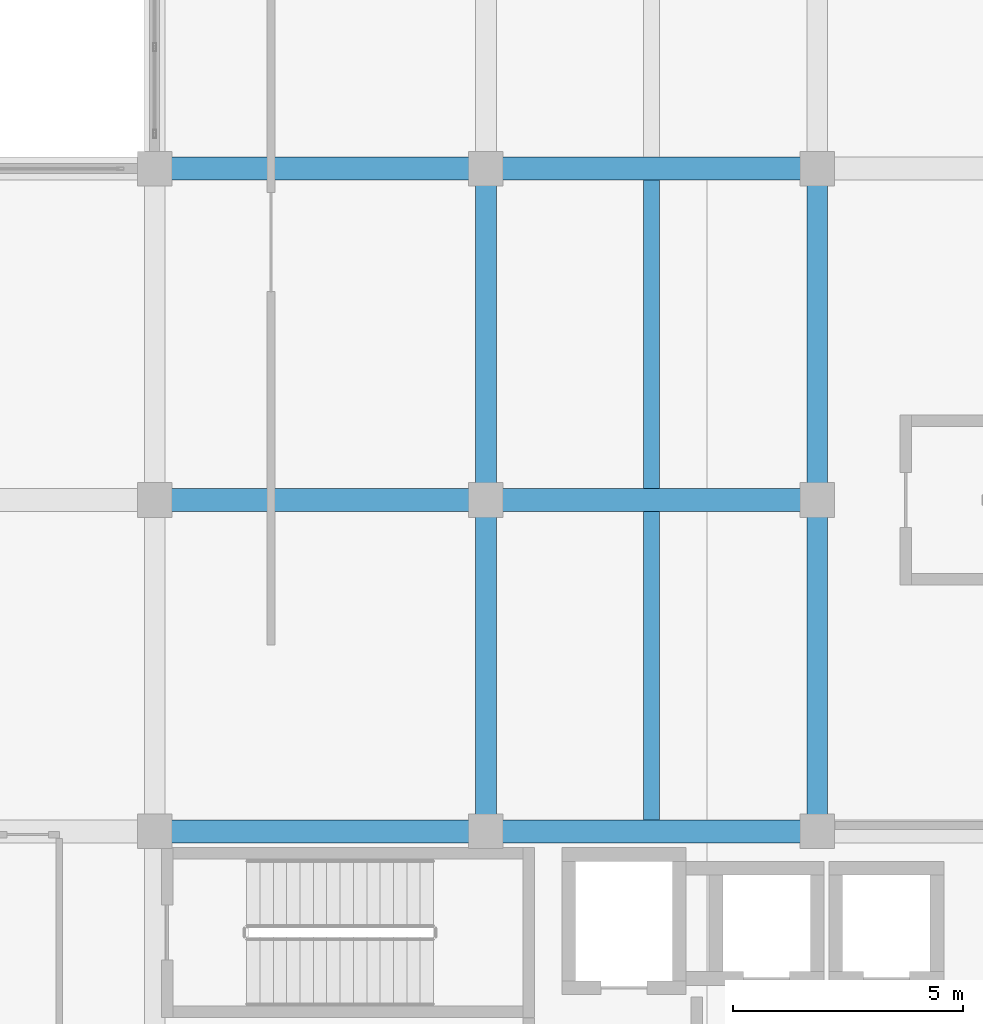
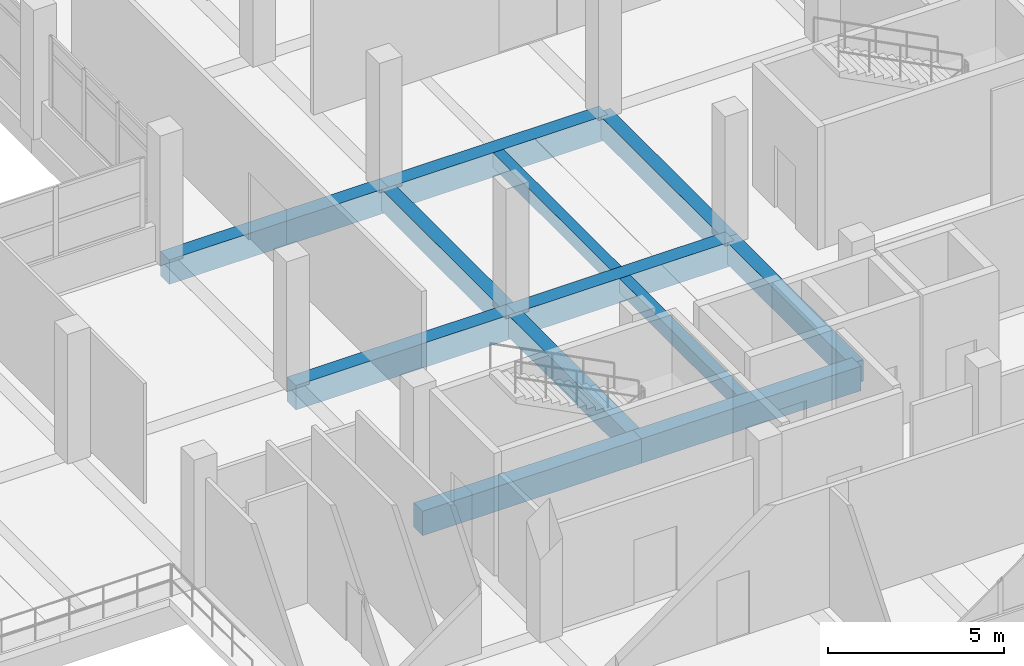
# One storey, part 33 of 141: 12 beams.
"""IFC4 building model written with IfcOpenShell, lengths in metres."""

from ifc_helpers import new_model, si_unit, direction, frame, origin, origin_2d, place, context, subcontext, project, spatial, rectangle, extrude, material, material_profile, profile_set, type_object, element, save


model = new_model("IFC4")

# Units and contexts
model_context = context("Model", 3, precision=1e-05, world=origin(), true_north=direction((0.0, 1.0)))
body_context = subcontext(model_context, "Body", "Model", "MODEL_VIEW")
ifc_project = project(units=[si_unit("LENGTHUNIT", "METRE"), si_unit("AREAUNIT", "SQUARE_METRE"), si_unit("VOLUMEUNIT", "CUBIC_METRE"), si_unit("PLANEANGLEUNIT", "RADIAN"), si_unit("MASSUNIT", "GRAM", prefix="KILO")], contexts=[model_context])

# Site, building, storey
site_placement = place(None, origin())
site = spatial("IfcSite", under=ifc_project, at=site_placement, CompositionType="ELEMENT")
building_placement = place(site_placement, origin())
building = spatial("IfcBuilding", under=site, at=building_placement, Name="Seraya Terrace Polytechnic", CompositionType="ELEMENT")
storey_placement = place(building_placement, frame((0.0, 0.0, 14.39990234375)))
storey = spatial("IfcBuildingStorey", under=building, at=storey_placement, Name="L03", CompositionType="ELEMENT", Elevation=14.39990234375)

# Beams
ifc_material = material(Name="Concrete C40/50", Category="concrete")
ifc_material_profile_1 = material_profile(ifc_material, rectangle(XDim=0.5, YDim=0.85009765625, at=origin_2d()), Name="RC 500x850")
ifc_profile_set_1 = profile_set([ifc_material_profile_1], Name="Concrete C40/50")
beam_type_1 = type_object("IfcBeamType", Name="BM-05", PredefinedType="BEAM", material=ifc_profile_set_1)
beam_1_placement = place(storey_placement, frame((79.199951171875, 14.39990234375, -0.4248046875), z_axis=(1.0, 0.0, 0.0), x_axis=(0.0, 1.0, 0.0)))
element("IfcBeam", 1, at=beam_1_placement, inside=storey, type_object=beam_type_1, Name="Beam BM-05 L03 X (79.2..86.4, 14.4)", PredefinedType="BEAM", context=body_context, shape_type="SweptSolid", body=[
    extrude(rectangle(XDim=0.5, YDim=0.85009765625, at=origin_2d()), origin(), (0.0, 0.0, 1.0), 7.199951171875),
])
beam_2_placement = place(storey_placement, frame((86.39990234375, 14.39990234375, -0.4248046875), z_axis=(1.0, 0.0, 0.0), x_axis=(0.0, 1.0, 0.0)))
element("IfcBeam", 2, at=beam_2_placement, inside=storey, type_object=beam_type_1, Name="Beam BM-05 L03 X (86.4..93.6, 14.4)", PredefinedType="BEAM", context=body_context, shape_type="SweptSolid", body=[
    extrude(rectangle(XDim=0.5, YDim=0.85009765625, at=origin_2d()), origin(), (0.0, 0.0, 1.0), 7.2001953125),
])
beam_3_placement = place(storey_placement, frame((79.199951171875, 21.60009765625, -0.4248046875), z_axis=(1.0, 0.0, 0.0), x_axis=(0.0, 1.0, 0.0)))
element("IfcBeam", 3, at=beam_3_placement, inside=storey, type_object=beam_type_1, Name="Beam BM-05 L03 X (79.2..86.4, 21.6)", PredefinedType="BEAM", context=body_context, shape_type="SweptSolid", body=[
    extrude(rectangle(XDim=0.5, YDim=0.85009765625, at=origin_2d()), origin(), (0.0, 0.0, 1.0), 7.199951171875),
])
beam_4_placement = place(storey_placement, frame((86.39990234375, 21.60009765625, -0.4248046875), z_axis=(1.0, 0.0, 0.0), x_axis=(0.0, 1.0, 0.0)))
element("IfcBeam", 4, at=beam_4_placement, inside=storey, type_object=beam_type_1, Name="Beam BM-05 L03 X (86.4..93.6, 21.6)", PredefinedType="BEAM", context=body_context, shape_type="SweptSolid", body=[
    extrude(rectangle(XDim=0.5, YDim=0.85009765625, at=origin_2d()), origin(), (0.0, 0.0, 1.0), 7.2001953125),
])
beam_5_placement = place(storey_placement, frame((79.199951171875, 28.800048828125, -0.4248046875), z_axis=(1.0, 0.0, 0.0), x_axis=(0.0, 1.0, 0.0)))
element("IfcBeam", 5, at=beam_5_placement, inside=storey, type_object=beam_type_1, Name="Beam BM-05 L03 X (79.2..86.4, 28.8)", PredefinedType="BEAM", context=body_context, shape_type="SweptSolid", body=[
    extrude(rectangle(XDim=0.5, YDim=0.85009765625, at=origin_2d()), origin(), (0.0, 0.0, 1.0), 7.199951171875),
])
beam_6_placement = place(storey_placement, frame((86.39990234375, 28.800048828125, -0.4248046875), z_axis=(1.0, 0.0, 0.0), x_axis=(0.0, 1.0, 0.0)))
element("IfcBeam", 6, at=beam_6_placement, inside=storey, type_object=beam_type_1, Name="Beam BM-05 L03 X (86.4..93.6, 28.8)", PredefinedType="BEAM", context=body_context, shape_type="SweptSolid", body=[
    extrude(rectangle(XDim=0.5, YDim=0.85009765625, at=origin_2d()), origin(), (0.0, 0.0, 1.0), 7.2001953125),
])
ifc_material_profile_2 = material_profile(ifc_material, rectangle(XDim=0.449951171875, YDim=0.75, at=origin_2d()), Name="RC 450x750")
ifc_profile_set_2 = profile_set([ifc_material_profile_2], Name="Concrete C40/50")
beam_type_2 = type_object("IfcBeamType", Name="BM-08", PredefinedType="BEAM", material=ifc_profile_set_2)
beam_7_placement = place(storey_placement, frame((86.39990234375, 14.39990234375, -0.375), z_axis=(0.0, 1.0, 0.0), x_axis=(-1.0, 0.0, 0.0)))
element("IfcBeam", 7, at=beam_7_placement, inside=storey, type_object=beam_type_2, Name="Beam BM-08 L03 Y (86.4, 14.4..21.6)", PredefinedType="BEAM", context=body_context, shape_type="SweptSolid", body=[
    extrude(rectangle(XDim=0.449951171875, YDim=0.75, at=origin_2d()), origin(), (0.0, 0.0, 1.0), 7.2001953125),
])
beam_8_placement = place(storey_placement, frame((86.39990234375, 21.60009765625, -0.375), z_axis=(0.0, 1.0, 0.0), x_axis=(-1.0, 0.0, 0.0)))
element("IfcBeam", 8, at=beam_8_placement, inside=storey, type_object=beam_type_2, Name="Beam BM-08 L03 Y (86.4, 21.6..28.8)", PredefinedType="BEAM", context=body_context, shape_type="SweptSolid", body=[
    extrude(rectangle(XDim=0.449951171875, YDim=0.75, at=origin_2d()), origin(), (0.0, 0.0, 1.0), 7.199951171875),
])
beam_9_placement = place(storey_placement, frame((93.60009765625, 14.39990234375, -0.375), z_axis=(0.0, 1.0, 0.0), x_axis=(-1.0, 0.0, 0.0)))
element("IfcBeam", 9, at=beam_9_placement, inside=storey, type_object=beam_type_2, Name="Beam BM-08 L03 Y (93.6, 14.4..21.6)", PredefinedType="BEAM", context=body_context, shape_type="SweptSolid", body=[
    extrude(rectangle(XDim=0.449951171875, YDim=0.75, at=origin_2d()), origin(), (0.0, 0.0, 1.0), 7.2001953125),
])
beam_10_placement = place(storey_placement, frame((93.60009765625, 21.60009765625, -0.375), z_axis=(0.0, 1.0, 0.0), x_axis=(-1.0, 0.0, 0.0)))
element("IfcBeam", 10, at=beam_10_placement, inside=storey, type_object=beam_type_2, Name="Beam BM-08 L03 Y (93.6, 21.6..28.8)", PredefinedType="BEAM", context=body_context, shape_type="SweptSolid", body=[
    extrude(rectangle(XDim=0.449951171875, YDim=0.75, at=origin_2d()), origin(), (0.0, 0.0, 1.0), 7.199951171875),
])
ifc_material_profile_3 = material_profile(ifc_material, rectangle(XDim=0.35009765625, YDim=0.5, at=origin_2d()), Name="RC 350x500")
ifc_profile_set_3 = profile_set([ifc_material_profile_3], Name="Concrete C40/50")
beam_type_3 = type_object("IfcBeamType", Name="JS-03", PredefinedType="JOIST", material=ifc_profile_set_3)
beam_11_placement = place(storey_placement, frame((90.0, 14.64990234375, -0.25), z_axis=(0.0, 1.0, 0.0), x_axis=(-1.0, 0.0, 0.0)))
element("IfcBeam", 11, at=beam_11_placement, inside=storey, type_object=beam_type_3, Name="Secondary joist JS-03 L03", PredefinedType="JOIST", context=body_context, shape_type="SweptSolid", body=[
    extrude(rectangle(XDim=0.35009765625, YDim=0.5, at=origin_2d()), origin(), (0.0, 0.0, 1.0), 6.7001953125),
])
beam_12_placement = place(storey_placement, frame((90.0, 21.85009765625, -0.25), z_axis=(0.0, 1.0, 0.0), x_axis=(-1.0, 0.0, 0.0)))
element("IfcBeam", 12, at=beam_12_placement, inside=storey, type_object=beam_type_3, Name="Secondary joist JS-03 L03", PredefinedType="JOIST", context=body_context, shape_type="SweptSolid", body=[
    extrude(rectangle(XDim=0.35009765625, YDim=0.5, at=origin_2d()), origin(), (0.0, 0.0, 1.0), 6.699951171875),
])

save(model, "model.ifc")
